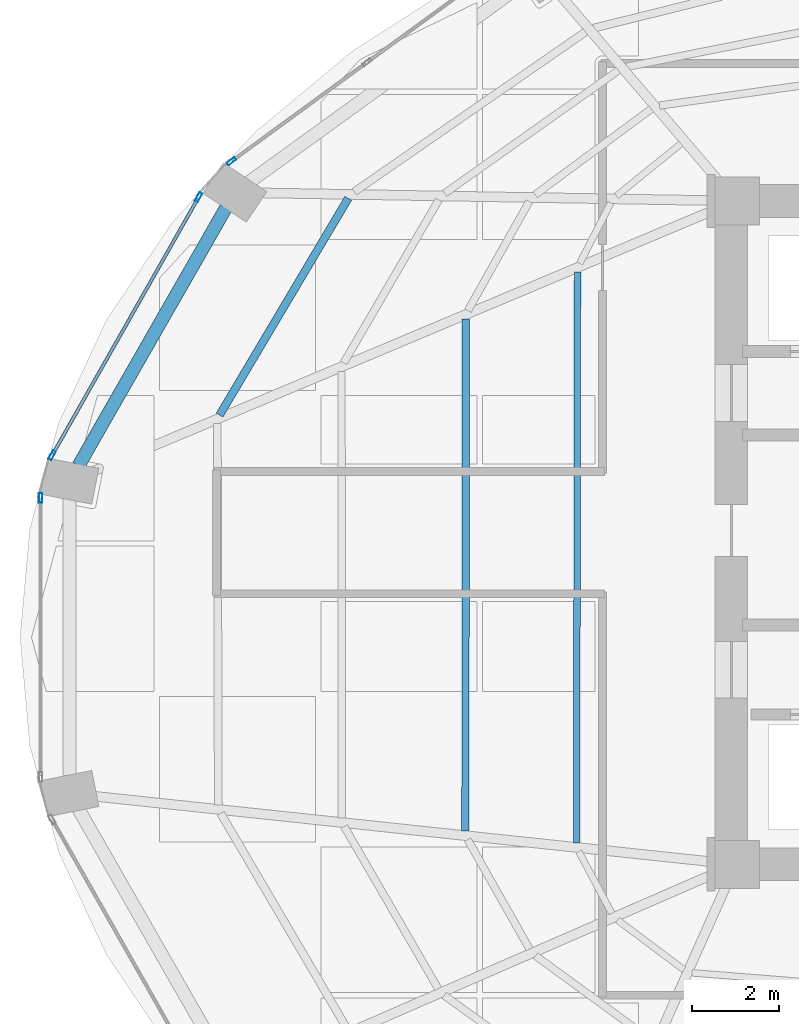
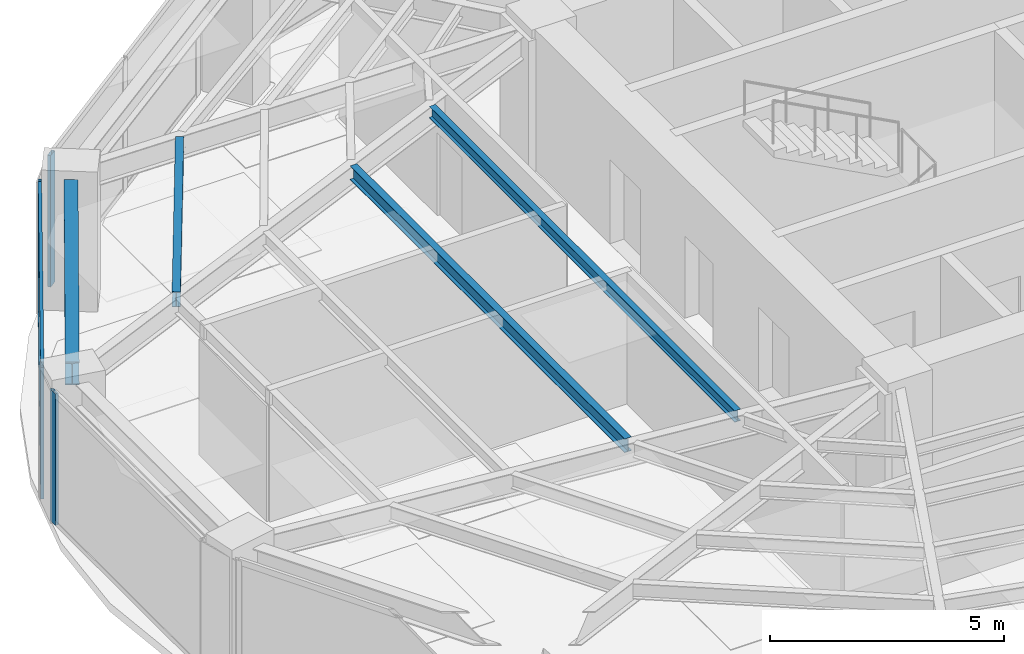
# One storey, part 8 of 23: 6 members, 4 beams, 3 elements without a shape of their own.
"""IFC4 building model written with IfcOpenShell, lengths in metres."""

from ifc_helpers import new_model, si_unit, direction, frame, origin, origin_2d, place, context, subcontext, project, spatial, hollow_rectangle, i_section, extrude, material, layer, layer_set, material_profile, profile_set, type_object, element, aggregate, save


model = new_model("IFC4")

# Units and contexts
model_context = context("Model", 3, precision=1e-05, world=origin(), true_north=direction((0.0, 1.0)))
body_context = subcontext(model_context, "Body", "Model", "MODEL_VIEW")
ifc_project = project(units=[si_unit("LENGTHUNIT", "METRE"), si_unit("AREAUNIT", "SQUARE_METRE"), si_unit("VOLUMEUNIT", "CUBIC_METRE"), si_unit("PLANEANGLEUNIT", "RADIAN"), si_unit("MASSUNIT", "GRAM", prefix="KILO")], contexts=[model_context])

# Site, building, storey
site_placement = place(None, origin())
site = spatial("IfcSite", under=ifc_project, at=site_placement, CompositionType="ELEMENT")
building_placement = place(site_placement, origin())
building = spatial("IfcBuilding", under=site, at=building_placement, Name="Lazwardi Medical Tower", CompositionType="ELEMENT")
storey_placement = place(building_placement, frame((0.0, 0.0, 121.8720703125)))
storey = spatial("IfcBuildingStorey", under=building, at=storey_placement, Name="L31", CompositionType="ELEMENT", Elevation=121.8720703125)

# Beams
ifc_material_1 = material(Name="Steel S355", Category="steel")
ifc_material_profile_1 = material_profile(ifc_material_1, i_section(OverallWidth=0.300048828125, OverallDepth=0.60009765625, WebThickness=0.015380859375, FlangeThickness=0.030029296875, at=origin_2d()), Name="HEB 600")
ifc_profile_set_1 = profile_set([ifc_material_profile_1], Name="Steel S355")
beam_type_1 = type_object("IfcBeamType", Name="BM-RB-Z2", PredefinedType="BEAM", material=ifc_profile_set_1)
beam_1_placement = place(storey_placement, frame((14.718505859375, 35.438720703125, 3.1279296875), z_axis=(-0.496653025517, -0.867949176072, 0.0), x_axis=(0.867949176072, -0.496653025517, 0.0)))
element("IfcBeam", 1, at=beam_1_placement, inside=storey, type_object=beam_type_1, Name="Ring beam RB-03 B11 L31", PredefinedType="BEAM", context=body_context, shape_type="SweptSolid", body=[
    extrude(i_section(OverallWidth=0.300048828125, OverallDepth=0.60009765625, WebThickness=0.015380859375, FlangeThickness=0.030029296875, at=origin_2d()), origin(), (0.0, 0.0, 1.0), 6.80078125),
])
ifc_material_profile_2 = material_profile(ifc_material_1, i_section(OverallWidth=0.179931640625, OverallDepth=0.39990234375, WebThickness=0.008544921875, FlangeThickness=0.013427734375, at=origin_2d()), Name="IPE 400")
ifc_profile_set_2 = profile_set([ifc_material_profile_2], Name="Steel S355")
beam_type_2 = type_object("IfcBeamType", Name="BM-SJ-01", PredefinedType="JOIST", material=ifc_profile_set_2)
beam_2_placement = place(storey_placement, frame((17.52099609375, 35.659423828125, 3.22802734375), z_axis=(-0.510499691073, -0.859877936346, 0.0), x_axis=(0.859877936346, -0.510499691073, 0.0)))
element("IfcBeam", 2, at=beam_2_placement, inside=storey, type_object=beam_type_2, Name="Secondary joist SJ-01 R1 B11 L31", PredefinedType="JOIST", context=body_context, shape_type="SweptSolid", body=[
    extrude(i_section(OverallWidth=0.179931640625, OverallDepth=0.39990234375, WebThickness=0.008544921875, FlangeThickness=0.013427734375, at=origin_2d()), origin(), (0.0, 0.0, 1.0), 5.776123046875),
])
ifc_material_profile_3 = material_profile(ifc_material_1, i_section(OverallWidth=0.169921875, OverallDepth=0.360107421875, WebThickness=0.008056640625, FlangeThickness=0.0126953125, at=origin_2d()), Name="IPE 360")
ifc_profile_set_3 = profile_set([ifc_material_profile_3], Name="Steel S355")
beam_type_3 = type_object("IfcBeamType", Name="BM-SJ-02", PredefinedType="JOIST", material=ifc_profile_set_3)
beam_3_placement = place(storey_placement, frame((20.212890625, 32.892578125, 3.248046875), z_axis=(-0.000561961365, -0.9999998421, 0.0), x_axis=(0.9999998421, -0.000561961365, 0.0)))
element("IfcBeam", 3, at=beam_3_placement, inside=storey, type_object=beam_type_3, Name="Secondary joist SJ-02 R3 B12 L31", PredefinedType="JOIST", context=body_context, shape_type="SweptSolid", body=[
    extrude(i_section(OverallWidth=0.169921875, OverallDepth=0.360107421875, WebThickness=0.008056640625, FlangeThickness=0.0126953125, at=origin_2d()), origin(), (0.0, 0.0, 1.0), 11.72998046875),
])
ifc_material_profile_4 = material_profile(ifc_material_1, i_section(OverallWidth=0.14990234375, OverallDepth=0.300048828125, WebThickness=0.007080078125, FlangeThickness=0.0107421875, at=origin_2d()), Name="IPE 300")
ifc_profile_set_4 = profile_set([ifc_material_profile_4], Name="Steel S355")
beam_type_4 = type_object("IfcBeamType", Name="BM-SJ-03", PredefinedType="JOIST", material=ifc_profile_set_4)
beam_4_placement = place(storey_placement, frame((22.77490234375, 33.97021484375, 3.27783203125), z_axis=(-0.00156809843, -0.999998770533, 0.0), x_axis=(0.999998770533, -0.00156809843, 0.0)))
element("IfcBeam", 4, at=beam_4_placement, inside=storey, type_object=beam_type_4, Name="Secondary joist SJ-03 R4 B12 L31", PredefinedType="JOIST", context=body_context, shape_type="SweptSolid", body=[
    extrude(i_section(OverallWidth=0.14990234375, OverallDepth=0.300048828125, WebThickness=0.007080078125, FlangeThickness=0.0107421875, at=origin_2d()), origin(), (0.0, 0.0, 1.0), 13.078125),
])

# Curtain wall, member
ifc_material_2 = material(Name="Anodised bronze aluminium and solar control glazing", Category="aluminium")
ifc_layer = layer(ifc_material_2, 0.195068359375)
ifc_layer_set = layer_set([ifc_layer], Name="Anodised bronze aluminium and solar control glazing")
curtain_wall_type = type_object("IfcCurtainWallType", Name="CW-SYS-03", PredefinedType="NOTDEFINED", material=ifc_layer_set)
curtain_wall_1_placement = place(storey_placement, origin())
curtain_wall_1 = element("IfcCurtainWall", 5, at=curtain_wall_1_placement, inside=storey, type_object=curtain_wall_type, Name="L31 Unitised bronze curtain wall CW-03", PredefinedType="NOTDEFINED")
ifc_material_3 = material(Name="Anodised bronze aluminium", Category="aluminium")
ifc_material_profile_5 = material_profile(ifc_material_3, hollow_rectangle(XDim=0.074951171875, YDim=0.219970703125, WallThickness=0.00390625, at=origin_2d()), Name="ALU-MULLION 220x75x4")
ifc_profile_set_5 = profile_set([ifc_material_profile_5], Name="Anodised bronze aluminium")
member_type_1 = type_object("IfcMemberType", Name="CW-MUL-01", PredefinedType="MULLION", material=ifc_profile_set_5)
member_1_placement = place(storey_placement, frame((14.844970703125, 36.5087890625, 0.0), z_axis=(0.0, 0.0, 1.0), x_axis=(0.589530882802, -0.807745837639, 0.0)))
member_1 = element("IfcMember", 6, at=member_1_placement, type_object=member_type_1, Name="CW-03 mullion 3", PredefinedType="MULLION", context=body_context, shape_type="SweptSolid", body=[
    extrude(hollow_rectangle(XDim=0.074951171875, YDim=0.219970703125, WallThickness=0.00390625, at=origin_2d()), origin(), (0.0, 0.0, 1.0), 3.427978515625),
])
aggregate(curtain_wall_1, [member_1])

# Curtain wall, members
curtain_wall_2_placement = place(storey_placement, origin())
curtain_wall_2 = element("IfcCurtainWall", 7, at=curtain_wall_2_placement, inside=storey, type_object=curtain_wall_type, Name="L31 Unitised bronze curtain wall CW-03", PredefinedType="NOTDEFINED")
member_2_placement = place(storey_placement, frame((14.0927734375, 35.685791015625, 0.0), z_axis=(0.0, 0.0, 1.0), x_axis=(0.869687265712, -0.493603140041, 0.0)))
member_2 = element("IfcMember", 8, at=member_2_placement, type_object=member_type_1, Name="CW-03 mullion 1", PredefinedType="MULLION", context=body_context, shape_type="SweptSolid", body=[
    extrude(hollow_rectangle(XDim=0.074951171875, YDim=0.219970703125, WallThickness=0.00390625, at=origin_2d()), origin(), (0.0, 0.0, 1.0), 3.427978515625),
])
member_3_placement = place(storey_placement, frame((10.7373046875, 29.77392578125, 0.0), z_axis=(0.0, 0.0, 1.0), x_axis=(0.869687265712, -0.493603140041, 0.0)))
member_3 = element("IfcMember", 9, at=member_3_placement, type_object=member_type_1, Name="CW-03 mullion 2", PredefinedType="MULLION", context=body_context, shape_type="SweptSolid", body=[
    extrude(hollow_rectangle(XDim=0.074951171875, YDim=0.219970703125, WallThickness=0.00390625, at=origin_2d()), origin(), (0.0, 0.0, 1.0), 3.427978515625),
])

# Curtain wall, member
curtain_wall_3_placement = place(storey_placement, origin())
curtain_wall_3 = element("IfcCurtainWall", 10, at=curtain_wall_3_placement, inside=storey, type_object=curtain_wall_type, Name="L31 Unitised bronze curtain wall CW-03", PredefinedType="NOTDEFINED")
member_4_placement = place(storey_placement, frame((10.471923828125, 28.79736328125, 0.0), z_axis=(0.0, 0.0, 1.0), x_axis=(1.0, 0.0, 0.0)))
member_4 = element("IfcMember", 11, at=member_4_placement, type_object=member_type_1, Name="CW-03 mullion 1", PredefinedType="MULLION", context=body_context, shape_type="SweptSolid", body=[
    extrude(hollow_rectangle(XDim=0.074951171875, YDim=0.219970703125, WallThickness=0.00390625, at=origin_2d()), origin(), (0.0, 0.0, 1.0), 3.427978515625),
])
aggregate(curtain_wall_3, [member_4])

# Member
ifc_material_profile_6 = material_profile(ifc_material_3, hollow_rectangle(XDim=0.074951171875, YDim=0.159912109375, WallThickness=0.00390625, at=origin_2d()), Name="ALU-TRANSOM 160x75x4")
ifc_profile_set_6 = profile_set([ifc_material_profile_6], Name="Anodised bronze aluminium")
member_type_2 = type_object("IfcMemberType", Name="CW-TRN-01", PredefinedType="USERDEFINED", material=ifc_profile_set_6)
member_5_placement = place(storey_placement, frame((14.074462890625, 35.6533203125, 0.037353515625), z_axis=(-0.493614427365, -0.869680859337, 0.0), x_axis=(0.869680859337, -0.493614427365, 0.0)))
member_5 = element("IfcMember", 12, at=member_5_placement, type_object=member_type_2, Name="CW-03 transom 1.1", ObjectType="TRANSOM", PredefinedType="USERDEFINED", context=body_context, shape_type="SweptSolid", body=[
    extrude(hollow_rectangle(XDim=0.074951171875, YDim=0.159912109375, WallThickness=0.00390625, at=origin_2d()), origin(), (0.0, 0.0, 1.0), 6.72314453125),
])

member_6_placement = place(storey_placement, frame((14.074462890625, 35.6533203125, 3.390380859375), z_axis=(-0.493614427365, -0.869680859337, 0.0), x_axis=(0.869680859337, -0.493614427365, 0.0)))
member_6 = element("IfcMember", 13, at=member_6_placement, type_object=member_type_2, Name="CW-03 transom 1.2", ObjectType="TRANSOM", PredefinedType="USERDEFINED", context=body_context, shape_type="SweptSolid", body=[
    extrude(hollow_rectangle(XDim=0.074951171875, YDim=0.159912109375, WallThickness=0.00390625, at=origin_2d()), origin(), (0.0, 0.0, 1.0), 6.72314453125),
])

aggregate(curtain_wall_2, [member_2, member_3, member_5, member_6])

save(model, "model.ifc")
